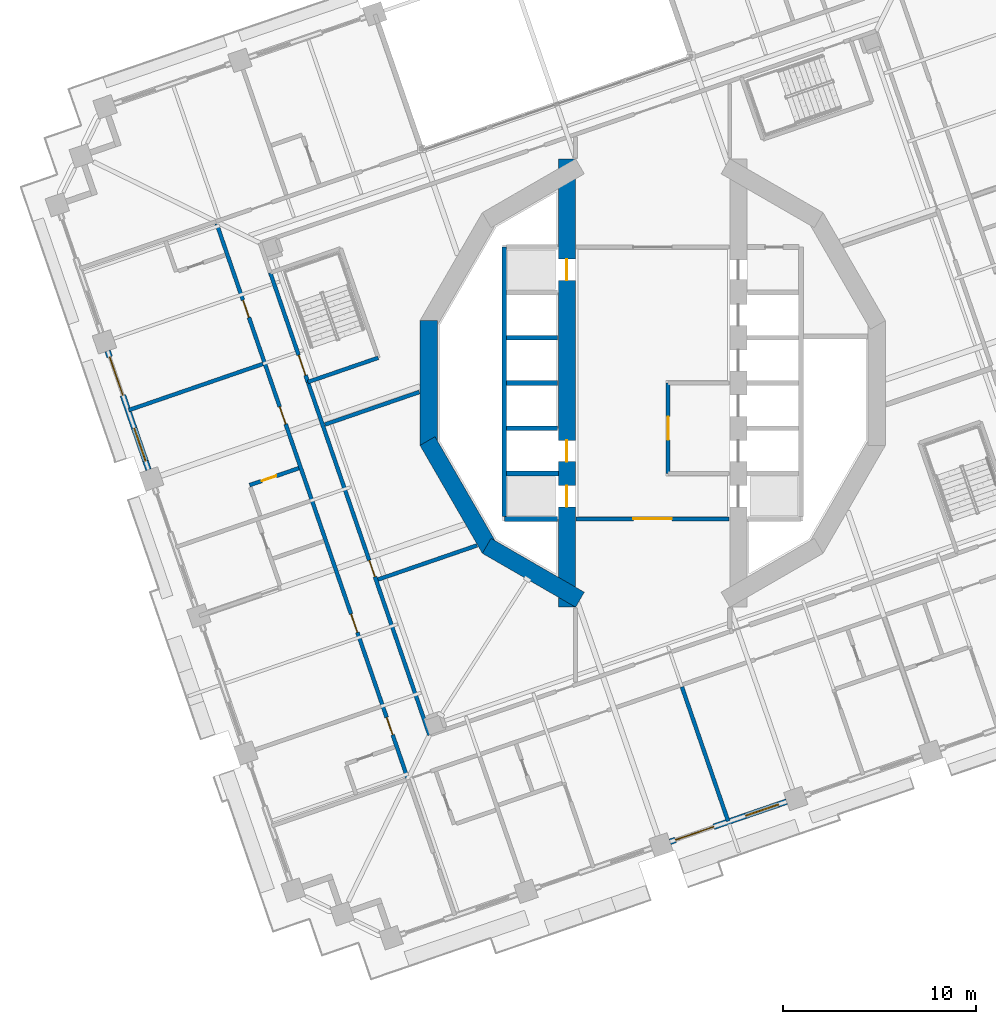
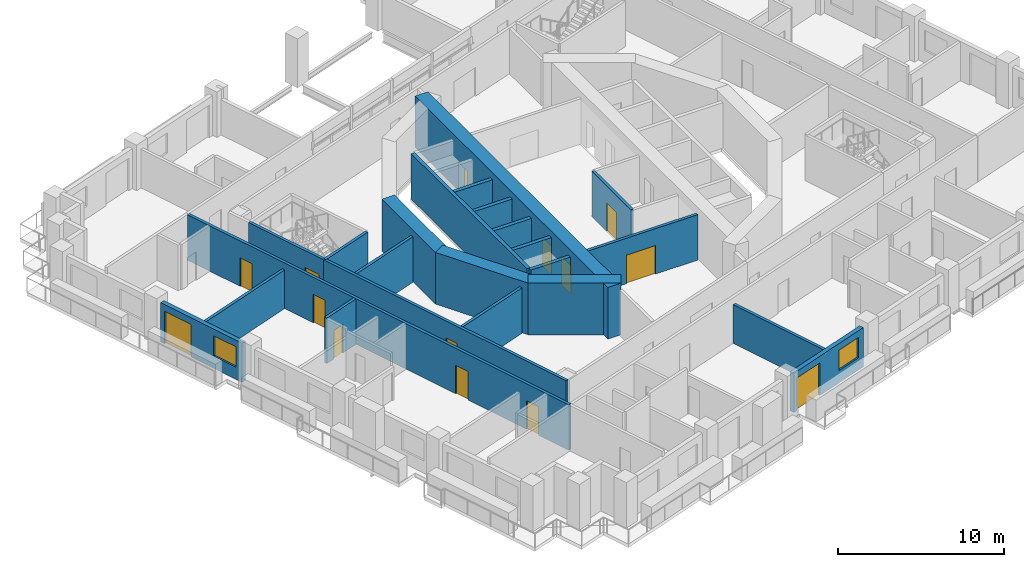
# One storey, part 8 of 22: 23 walls, 14 doors, 2 windows, 16 openings.
"""IFC4 building model written with IfcOpenShell, lengths in metres."""

from ifc_helpers import new_model, si_unit, direction, frame, frame_2d, origin, place, context, subcontext, project, spatial, rectangle, extrude, material, layer, layer_set, type_object, element, fill, save


model = new_model("IFC4")

# Units and contexts
model_context = context("Model", 3, precision=1e-05, world=origin(), true_north=direction((0.0, 1.0)))
body_context = subcontext(model_context, "Body", "Model", "MODEL_VIEW")
ifc_project = project(units=[si_unit("LENGTHUNIT", "METRE"), si_unit("AREAUNIT", "SQUARE_METRE"), si_unit("VOLUMEUNIT", "CUBIC_METRE"), si_unit("PLANEANGLEUNIT", "RADIAN"), si_unit("MASSUNIT", "GRAM", prefix="KILO")], contexts=[model_context])

# Site, building, storey
site_placement = place(None, origin())
site = spatial("IfcSite", under=ifc_project, at=site_placement, CompositionType="ELEMENT")
building_placement = place(site_placement, origin())
building = spatial("IfcBuilding", under=site, at=building_placement, Name="Cantera Rosa Tower", CompositionType="ELEMENT")
storey_placement = place(building_placement, frame((0.0, 0.0, 138.300048828125)))
storey = spatial("IfcBuildingStorey", under=building, at=storey_placement, Name="L29", CompositionType="ELEMENT", Elevation=138.300048828125)

# Wall, openings, doors
ifc_material_1 = material(Name="Gypsum board partition")
ifc_layer_1 = layer(ifc_material_1, 0.199951171875)
ifc_layer_set_1 = layer_set([ifc_layer_1], Name="CORRIDOR WALL 200 H3350")
wall_type_1 = type_object("IfcWallType", Name="CORRIDOR WALL 200 H3350", PredefinedType="PARTITIONING", material=ifc_layer_set_1)
wall_1_placement = place(storey_placement, frame((-22.623291015625, 8.264892578125, 0.0), z_axis=(0.0, 0.0, 1.0), x_axis=(0.325567058058, -0.945518953119, 0.0)))
wall_1 = element("IfcWall", 1, at=wall_1_placement, inside=storey, type_object=wall_type_1, Name="CORRIDOR WALL L29-003", PredefinedType="PARTITIONING", context=body_context, shape_type="SweptSolid", body=[
    extrude(rectangle(XDim=30.480224609375, YDim=0.199951171875, at=frame_2d((15.240234375, 0.0))), origin(), (0.0, 0.0, 1.0), 3.349853515625),
])
opening_1_placement = place(wall_1_placement, frame((4.195068359375, 0.0, 0.0)))
opening_1 = element("IfcOpeningElement", 2, at=opening_1_placement, cuts=wall_1, Name="Opening L29-030", PredefinedType="OPENING", context=body_context, shape_type="SweptSolid", body=[
    extrude(rectangle(XDim=0.949951171875, YDim=2.10009765625, at=frame_2d((0.47509765625, 1.050048828125))), frame((0.0, 0.10986328125, 0.0), z_axis=(0.0, -1.0, 0.0), x_axis=(1.0, 0.0, 0.0)), (0.0, 0.0, 1.0), 0.219970703125),
])
opening_2_placement = place(wall_1_placement, frame((10.044921875, 0.0, 0.0)))
opening_2 = element("IfcOpeningElement", 3, at=opening_2_placement, cuts=wall_1, Name="Opening L29-032", PredefinedType="OPENING", context=body_context, shape_type="SweptSolid", body=[
    extrude(rectangle(XDim=0.949951171875, YDim=2.10009765625, at=frame_2d((0.47509765625, 1.050048828125))), frame((0.0, 0.10986328125, 0.0), z_axis=(0.0, -1.0, 0.0), x_axis=(1.0, 0.0, 0.0)), (0.0, 0.0, 1.0), 0.219970703125),
])
opening_3_placement = place(wall_1_placement, frame((21.419921875, 0.0, 0.0)))
opening_3 = element("IfcOpeningElement", 4, at=opening_3_placement, cuts=wall_1, Name="Opening L29-034", PredefinedType="OPENING", context=body_context, shape_type="SweptSolid", body=[
    extrude(rectangle(XDim=1.0, YDim=2.10009765625, at=frame_2d((0.5, 1.050048828125))), frame((0.0, 0.10986328125, 0.0), z_axis=(0.0, -1.0, 0.0), x_axis=(1.0, 0.0, 0.0)), (0.0, 0.0, 1.0), 0.219970703125),
])
opening_4_placement = place(wall_1_placement, frame((27.094970703125, 0.0, 0.0)))
opening_4 = element("IfcOpeningElement", 5, at=opening_4_placement, cuts=wall_1, Name="Opening L29-037", PredefinedType="OPENING", context=body_context, shape_type="SweptSolid", body=[
    extrude(rectangle(XDim=0.949951171875, YDim=2.10009765625, at=frame_2d((0.47509765625, 1.050048828125))), frame((0.0, 0.10986328125, 0.0), z_axis=(0.0, -1.0, 0.0), x_axis=(1.0, 0.0, 0.0)), (0.0, 0.0, 1.0), 0.219970703125),
])
ifc_material_2 = material(Name="Timber door leaf", Category="wood")
door_type_1 = type_object("IfcDoorType", Name="ENTRANCE DOOR 1000x2100", OperationType="NOTDEFINED", PredefinedType="DOOR", material=ifc_material_2)
door_1_placement = place(opening_3_placement, origin())
door_1 = element("IfcDoor", 6, at=door_1_placement, inside=storey, type_object=door_type_1, Name="DOOR L29-034", OperationType="NOTDEFINED", OverallHeight=2.10009765625, OverallWidth=1.0, PredefinedType="DOOR", context=body_context, shape_type="SweptSolid", body=[
    extrude(rectangle(XDim=1.0, YDim=2.10009765625, at=frame_2d((0.5, 1.050048828125))), frame((0.0, 0.02490234375, 0.0), z_axis=(0.0, -1.0, 0.0), x_axis=(1.0, 0.0, 0.0)), (0.0, 0.0, 1.0), 0.050048828125),
])
fill(opening_3, door_1)
ifc_material_3 = material(Name="Timber door leaf", Category="wood")
door_type_2 = type_object("IfcDoorType", Name="ROOM DOOR 950x2100", OperationType="NOTDEFINED", PredefinedType="DOOR", material=ifc_material_3)
door_2_placement = place(opening_1_placement, origin())
door_2 = element("IfcDoor", 7, at=door_2_placement, inside=storey, type_object=door_type_2, Name="DOOR L29-030", OperationType="NOTDEFINED", OverallHeight=2.10009765625, OverallWidth=0.949951171875, PredefinedType="DOOR", context=body_context, shape_type="SweptSolid", body=[
    extrude(rectangle(XDim=0.949951171875, YDim=2.10009765625, at=frame_2d((0.47509765625, 1.050048828125))), frame((0.0, 0.02490234375, 0.0), z_axis=(0.0, -1.0, 0.0), x_axis=(1.0, 0.0, 0.0)), (0.0, 0.0, 1.0), 0.050048828125),
])
fill(opening_1, door_2)
door_3_placement = place(opening_2_placement, origin())
door_3 = element("IfcDoor", 8, at=door_3_placement, inside=storey, type_object=door_type_2, Name="DOOR L29-032", OperationType="NOTDEFINED", OverallHeight=2.10009765625, OverallWidth=0.949951171875, PredefinedType="DOOR", context=body_context, shape_type="SweptSolid", body=[
    extrude(rectangle(XDim=0.949951171875, YDim=2.10009765625, at=frame_2d((0.47509765625, 1.050048828125))), frame((0.0, 0.02490234375, 0.0), z_axis=(0.0, -1.0, 0.0), x_axis=(1.0, 0.0, 0.0)), (0.0, 0.0, 1.0), 0.050048828125),
])
fill(opening_2, door_3)
door_4_placement = place(opening_4_placement, origin())
door_4 = element("IfcDoor", 9, at=door_4_placement, inside=storey, type_object=door_type_2, Name="DOOR L29-037", OperationType="NOTDEFINED", OverallHeight=2.10009765625, OverallWidth=0.949951171875, PredefinedType="DOOR", context=body_context, shape_type="SweptSolid", body=[
    extrude(rectangle(XDim=0.949951171875, YDim=2.10009765625, at=frame_2d((0.47509765625, 1.050048828125))), frame((0.0, 0.02490234375, 0.0), z_axis=(0.0, -1.0, 0.0), x_axis=(1.0, 0.0, 0.0)), (0.0, 0.0, 1.0), 0.050048828125),
])
fill(opening_4, door_4)

# Wall, opening, door
wall_2_placement = place(storey_placement, frame((-17.8916015625, 0.05126953125, 0.0), z_axis=(0.0, 0.0, 1.0), x_axis=(0.325580537834, -0.94551431157, 0.0)))
wall_2 = element("IfcWall", 10, at=wall_2_placement, inside=storey, type_object=wall_type_1, Name="CORRIDOR WALL L29-019", PredefinedType="PARTITIONING", context=body_context, shape_type="SweptSolid", body=[
    extrude(rectangle(XDim=19.37353515625, YDim=0.199951171875, at=frame_2d((9.686767578125, 0.0))), origin(), (0.0, 0.0, 1.0), 3.349853515625),
])
opening_5_placement = place(wall_2_placement, frame((9.785888671875, 0.0, 0.0)))
opening_5 = element("IfcOpeningElement", 11, at=opening_5_placement, cuts=wall_2, Name="Opening L29-006", PredefinedType="OPENING", context=body_context, shape_type="SweptSolid", body=[
    extrude(rectangle(XDim=0.89990234375, YDim=2.10009765625, at=frame_2d((0.449951171875, 1.050048828125))), frame((0.0, 0.10986328125, 0.0), z_axis=(0.0, -1.0, 0.0), x_axis=(1.0, 0.0, 0.0)), (0.0, 0.0, 1.0), 0.219970703125),
])
ifc_material_4 = material(Name="Timber door leaf", Category="wood")
door_type_3 = type_object("IfcDoorType", Name="SERVICE DOOR 900x2100", OperationType="NOTDEFINED", PredefinedType="DOOR", material=ifc_material_4)
door_5_placement = place(opening_5_placement, origin())
door_5 = element("IfcDoor", 12, at=door_5_placement, inside=storey, type_object=door_type_3, Name="DOOR L29-006", OperationType="NOTDEFINED", OverallHeight=2.10009765625, OverallWidth=0.89990234375, PredefinedType="DOOR", context=body_context, shape_type="SweptSolid", body=[
    extrude(rectangle(XDim=0.89990234375, YDim=2.10009765625, at=frame_2d((0.449951171875, 1.050048828125))), frame((0.0, 0.02490234375, 0.0), z_axis=(0.0, -1.0, 0.0), x_axis=(1.0, 0.0, 0.0)), (0.0, 0.0, 1.0), 0.050048828125),
])
fill(opening_5, door_5)

wall_3_placement = place(storey_placement, frame((3.969970703125, -7.050048828125, 0.0), z_axis=(0.0, 0.0, 1.0), x_axis=(-1.0, 0.0, 0.0)))
wall_3 = element("IfcWall", 13, at=wall_3_placement, inside=storey, type_object=wall_type_1, Name="CORRIDOR WALL L29-056", PredefinedType="PARTITIONING", context=body_context, shape_type="SweptSolid", body=[
    extrude(rectangle(XDim=7.93994140625, YDim=0.199951171875, at=frame_2d((3.969970703125, 0.0))), origin(), (0.0, 0.0, 1.0), 3.349853515625),
])
opening_6_placement = place(wall_3_placement, frame((2.969970703125, 0.0, 0.0)))
opening_6 = element("IfcOpeningElement", 14, at=opening_6_placement, cuts=wall_3, Name="Opening L29-013", PredefinedType="OPENING", context=body_context, shape_type="SweptSolid", body=[
    extrude(rectangle(XDim=2.0, YDim=2.10009765625, at=frame_2d((1.0, 1.050048828125))), frame((0.0, 0.10986328125, 0.0), z_axis=(0.0, -1.0, 0.0), x_axis=(1.0, 0.0, 0.0)), (0.0, 0.0, 1.0), 0.219970703125),
])
ifc_material_5 = material(Name="Steel S355J2 (EN 10025-2)", Category="steel")
door_type_4 = type_object("IfcDoorType", Name="LOBBY SCREEN DOOR 2000x2100", OperationType="NOTDEFINED", PredefinedType="DOOR", material=ifc_material_5)
door_6_placement = place(opening_6_placement, origin())
door_6 = element("IfcDoor", 15, at=door_6_placement, inside=storey, type_object=door_type_4, Name="DOOR L29-013", OperationType="NOTDEFINED", OverallHeight=2.10009765625, OverallWidth=2.0, PredefinedType="DOOR", context=body_context, shape_type="SweptSolid", body=[
    extrude(rectangle(XDim=2.0, YDim=2.10009765625, at=frame_2d((1.0, 1.050048828125))), frame((0.0, 0.02490234375, 0.0), z_axis=(0.0, -1.0, 0.0), x_axis=(1.0, 0.0, 0.0)), (0.0, 0.0, 1.0), 0.050048828125),
])
fill(opening_6, door_6)

# Wall, openings, window, door
ifc_material_6 = material(Name="Hollow clay masonry with cantera stone cladding", Category="masonry")
ifc_layer_2 = layer(ifc_material_6, 0.300048828125)
ifc_layer_set_2 = layer_set([ifc_layer_2], Name="EW-LOGGIA 300 H2890")
wall_type_2 = type_object("IfcWallType", Name="EW-LOGGIA 300 H2890", PredefinedType="SOLIDWALL", material=ifc_layer_set_2)
wall_4_placement = place(storey_placement, frame((-28.2822265625, 1.662841796875, 0.0), z_axis=(0.0, 0.0, 1.0), x_axis=(0.325580990241, -0.945514155787, 0.0)))
wall_4 = element("IfcWall", 16, at=wall_4_placement, inside=storey, type_object=wall_type_2, Name="EN-L29-W17", PredefinedType="SOLIDWALL", context=body_context, shape_type="SweptSolid", body=[
    extrude(rectangle(XDim=6.52001953125, YDim=0.300048828125, at=frame_2d((3.260009765625, 0.0))), origin(), (0.0, 0.0, 1.0), 2.889892578125),
])
opening_7_placement = place(wall_4_placement, frame((0.330078125, 0.0, 0.0)))
opening_7 = element("IfcOpeningElement", 17, at=opening_7_placement, cuts=wall_4, Name="Opening L29-TD21", PredefinedType="OPENING", context=body_context, shape_type="SweptSolid", body=[
    extrude(rectangle(XDim=2.10009765625, YDim=2.39990234375, at=frame_2d((1.050048828125, 1.199951171875))), frame((0.0, 0.159912109375, 0.0), z_axis=(0.0, -1.0, 0.0), x_axis=(1.0, 0.0, 0.0)), (0.0, 0.0, 1.0), 0.320068359375),
])
opening_8_placement = place(wall_4_placement, frame((4.239990234375, 0.0, 0.89990234375)))
opening_8 = element("IfcOpeningElement", 18, at=opening_8_placement, cuts=wall_4, Name="Opening L29-W22", PredefinedType="OPENING", context=body_context, shape_type="SweptSolid", body=[
    extrude(rectangle(XDim=1.800048828125, YDim=1.5, at=frame_2d((0.89990234375, 0.75))), frame((0.0, 0.159912109375, 0.0), z_axis=(0.0, -1.0, 0.0), x_axis=(1.0, 0.0, 0.0)), (0.0, 0.0, 1.0), 0.320068359375),
])
ifc_material_7 = material(Name="Aluminium frame with clear glass", Category="aluminium")
window_type = type_object("IfcWindowType", Name="Hotel room window 1800x1500", PartitioningType="DOUBLE_PANEL_VERTICAL", PredefinedType="WINDOW", material=ifc_material_7)
window_1_placement = place(opening_8_placement, origin())
window_1 = element("IfcWindow", 19, at=window_1_placement, inside=storey, type_object=window_type, Name="WINDOW L29-W22", OverallHeight=1.5, OverallWidth=1.800048828125, PartitioningType="SINGLE_PANEL", PredefinedType="WINDOW", context=body_context, shape_type="SweptSolid", body=[
    extrude(rectangle(XDim=1.800048828125, YDim=1.5, at=frame_2d((0.89990234375, 0.75))), frame((0.0, 0.030029296875, 0.0), z_axis=(0.0, -1.0, 0.0), x_axis=(1.0, 0.0, 0.0)), (0.0, 0.0, 1.0), 0.06005859375),
])
fill(opening_8, window_1)
ifc_material_8 = material(Name="Aluminium frame with clear glass", Category="aluminium")
door_type_5 = type_object("IfcDoorType", Name="TD-H 2100x2400", OperationType="NOTDEFINED", PredefinedType="DOOR", material=ifc_material_8)
door_7_placement = place(opening_7_placement, origin())
door_7 = element("IfcDoor", 20, at=door_7_placement, inside=storey, type_object=door_type_5, Name="LOGGIA DOOR L29-TD21", OperationType="SLIDING_TO_LEFT", OverallHeight=2.39990234375, OverallWidth=2.10009765625, PredefinedType="DOOR", context=body_context, shape_type="SweptSolid", body=[
    extrude(rectangle(XDim=2.10009765625, YDim=2.39990234375, at=frame_2d((1.050048828125, 1.199951171875))), frame((0.0, 0.02490234375, 0.0), z_axis=(0.0, -1.0, 0.0), x_axis=(1.0, 0.0, 0.0)), (0.0, 0.0, 1.0), 0.050048828125),
])
fill(opening_7, door_7)

wall_5_placement = place(storey_placement, frame((0.89892578125, -23.80419921875, 0.0), z_axis=(0.0, 0.0, 1.0), x_axis=(0.945524496524, 0.325550958337, 0.0)))
wall_5 = element("IfcWall", 21, at=wall_5_placement, inside=storey, type_object=wall_type_2, Name="EN-L29-W25", PredefinedType="SOLIDWALL", context=body_context, shape_type="SweptSolid", body=[
    extrude(rectangle(XDim=6.39990234375, YDim=0.300048828125, at=frame_2d((3.199951171875, 0.0))), origin(), (0.0, 0.0, 1.0), 2.889892578125),
])
opening_9_placement = place(wall_5_placement, frame((0.300048828125, 0.0, 0.0)))
opening_9 = element("IfcOpeningElement", 22, at=opening_9_placement, cuts=wall_5, Name="Opening L29-TD33", PredefinedType="OPENING", context=body_context, shape_type="SweptSolid", body=[
    extrude(rectangle(XDim=2.10009765625, YDim=2.39990234375, at=frame_2d((1.050048828125, 1.199951171875))), frame((0.0, 0.159912109375, 0.0), z_axis=(0.0, -1.0, 0.0), x_axis=(1.0, 0.0, 0.0)), (0.0, 0.0, 1.0), 0.320068359375),
])
opening_10_placement = place(wall_5_placement, frame((4.14990234375, 0.0, 0.89990234375)))
opening_10 = element("IfcOpeningElement", 23, at=opening_10_placement, cuts=wall_5, Name="Opening L29-W34", PredefinedType="OPENING", context=body_context, shape_type="SweptSolid", body=[
    extrude(rectangle(XDim=1.800048828125, YDim=1.5, at=frame_2d((0.89990234375, 0.75))), frame((0.0, 0.159912109375, 0.0), z_axis=(0.0, -1.0, 0.0), x_axis=(1.0, 0.0, 0.0)), (0.0, 0.0, 1.0), 0.320068359375),
])
window_2_placement = place(opening_10_placement, origin())
window_2 = element("IfcWindow", 24, at=window_2_placement, inside=storey, type_object=window_type, Name="WINDOW L29-W34", OverallHeight=1.5, OverallWidth=1.800048828125, PartitioningType="SINGLE_PANEL", PredefinedType="WINDOW", context=body_context, shape_type="SweptSolid", body=[
    extrude(rectangle(XDim=1.800048828125, YDim=1.5, at=frame_2d((0.89990234375, 0.75))), frame((0.0, 0.030029296875, 0.0), z_axis=(0.0, -1.0, 0.0), x_axis=(1.0, 0.0, 0.0)), (0.0, 0.0, 1.0), 0.06005859375),
])
fill(opening_10, window_2)
door_8_placement = place(opening_9_placement, origin())
door_8 = element("IfcDoor", 25, at=door_8_placement, inside=storey, type_object=door_type_5, Name="LOGGIA DOOR L29-TD33", OperationType="SLIDING_TO_LEFT", OverallHeight=2.39990234375, OverallWidth=2.10009765625, PredefinedType="DOOR", context=body_context, shape_type="SweptSolid", body=[
    extrude(rectangle(XDim=2.10009765625, YDim=2.39990234375, at=frame_2d((1.050048828125, 1.199951171875))), frame((0.0, 0.02490234375, 0.0), z_axis=(0.0, -1.0, 0.0), x_axis=(1.0, 0.0, 0.0)), (0.0, 0.0, 1.0), 0.050048828125),
])
fill(opening_9, door_8)

# Wall, opening, door
ifc_material_9 = material(Name="Gypsum board partition")
ifc_layer_3 = layer(ifc_material_9, 0.199951171875)
ifc_layer_set_3 = layer_set([ifc_layer_3], Name="PARTITION 200 H3350")
wall_type_3 = type_object("IfcWallType", Name="PARTITION 200 H3350", PredefinedType="PARTITIONING", material=ifc_layer_set_3)
wall_6_placement = place(storey_placement, frame((-20.914794921875, -5.2978515625, 0.0), z_axis=(0.0, 0.0, 1.0), x_axis=(0.945508383903, 0.325597751787, 0.0)))
wall_6 = element("IfcWall", 26, at=wall_6_placement, inside=storey, type_object=wall_type_3, Name="PARTITION L29-005", PredefinedType="PARTITIONING", context=body_context, shape_type="SweptSolid", body=[
    extrude(rectangle(XDim=2.7001953125, YDim=0.199951171875, at=frame_2d((1.35009765625, 0.0))), origin(), (0.0, 0.0, 1.0), 3.349853515625),
])
opening_11_placement = place(wall_6_placement, frame((0.6640625, 0.0, 0.0)))
opening_11 = element("IfcOpeningElement", 27, at=opening_11_placement, cuts=wall_6, Name="Opening L29-033", PredefinedType="OPENING", context=body_context, shape_type="SweptSolid", body=[
    extrude(rectangle(XDim=0.800048828125, YDim=2.10009765625, at=frame_2d((0.39990234375, 1.050048828125))), frame((0.0, 0.10986328125, 0.0), z_axis=(0.0, -1.0, 0.0), x_axis=(1.0, 0.0, 0.0)), (0.0, 0.0, 1.0), 0.219970703125),
])
ifc_material_10 = material(Name="Timber door leaf", Category="wood")
door_type_6 = type_object("IfcDoorType", Name="BATHROOM DOOR 800x2100", OperationType="NOTDEFINED", PredefinedType="DOOR", material=ifc_material_10)
door_9_placement = place(opening_11_placement, origin())
door_9 = element("IfcDoor", 28, at=door_9_placement, inside=storey, type_object=door_type_6, Name="DOOR L29-033", OperationType="NOTDEFINED", OverallHeight=2.10009765625, OverallWidth=0.800048828125, PredefinedType="DOOR", context=body_context, shape_type="SweptSolid", body=[
    extrude(rectangle(XDim=0.800048828125, YDim=2.10009765625, at=frame_2d((0.39990234375, 1.050048828125))), frame((0.0, 0.02490234375, 0.0), z_axis=(0.0, -1.0, 0.0), x_axis=(1.0, 0.0, 0.0)), (0.0, 0.0, 1.0), 0.050048828125),
])
fill(opening_11, door_9)

# Walls
wall_7_placement = place(storey_placement, frame((-12.10400390625, -0.466064453125, 0.0), z_axis=(0.0, 0.0, 1.0), x_axis=(-0.945514533015, -0.325579894737, 0.0)))
element("IfcWall", 29, at=wall_7_placement, inside=storey, type_object=wall_type_3, Name="PARTITION L29-030", PredefinedType="PARTITIONING", context=body_context, shape_type="SweptSolid", body=[
    extrude(rectangle(XDim=5.183837890625, YDim=0.199951171875, at=frame_2d((2.591796875, 0.0))), origin(), (0.0, 0.0, 1.0), 3.349853515625),
])
wall_8_placement = place(storey_placement, frame((-9.112060546875, -8.425537109375, 0.0), z_axis=(0.0, 0.0, 1.0), x_axis=(-0.945518793757, -0.32556752088, 0.0)))
element("IfcWall", 30, at=wall_8_placement, inside=storey, type_object=wall_type_3, Name="PARTITION L29-035", PredefinedType="PARTITIONING", context=body_context, shape_type="SweptSolid", body=[
    extrude(rectangle(XDim=5.441162109375, YDim=0.199951171875, at=frame_2d((2.720703125, 0.0))), origin(), (0.0, 0.0, 1.0), 3.349853515625),
])
ifc_material_11 = material(Name="Gypsum board partition")
ifc_layer_4 = layer(ifc_material_11, 0.199951171875)
ifc_layer_set_4 = layer_set([ifc_layer_4], Name="PARTY WALL 200 H2850")
wall_type_4 = type_object("IfcWallType", Name="PARTY WALL 200 H2850", PredefinedType="PARTITIONING", material=ifc_layer_set_4)
wall_9_placement = place(storey_placement, frame((-20.22412109375, 0.989501953125, 0.0), z_axis=(0.0, 0.0, 1.0), x_axis=(-0.945516523202, -0.32557411499, 0.0)))
element("IfcWall", 31, at=wall_9_placement, inside=storey, type_object=wall_type_4, Name="PARTY WALL L29-009", PredefinedType="PARTITIONING", context=body_context, shape_type="SweptSolid", body=[
    extrude(rectangle(XDim=7.369873046875, YDim=0.199951171875, at=frame_2d((3.68505859375, 0.0))), origin(), (0.0, 0.0, 1.0), 2.849853515625),
])
wall_10_placement = place(storey_placement, frame((1.515380859375, -15.765625, 0.0), z_axis=(0.0, 0.0, 1.0), x_axis=(0.325563917555, -0.945520034471, 0.0)))
element("IfcWall", 32, at=wall_10_placement, inside=storey, type_object=wall_type_4, Name="PARTY WALL L29-054", PredefinedType="PARTITIONING", context=body_context, shape_type="SweptSolid", body=[
    extrude(rectangle(XDim=7.3701171875, YDim=0.199951171875, at=frame_2d((3.68505859375, 0.0))), origin(), (0.0, 0.0, 1.0), 2.849853515625),
])
ifc_material_12 = material(Name="Concrete C70/85", Category="concrete")
ifc_layer_5 = layer(ifc_material_12, 0.89990234375)
ifc_layer_set_5 = layer_set([ifc_layer_5], Name="RC CORE WALL 900 C70/85")
wall_type_5 = type_object("IfcWallType", Name="RC CORE WALL 900 C70/85", PredefinedType="SHEAR", material=ifc_layer_set_5)
wall_11_placement = place(storey_placement, frame((-3.77490234375, -11.242919921875, 0.0), z_axis=(0.0, 0.0, 1.0), x_axis=(-0.866026961591, 0.49999730179, 0.0)))
element("IfcWall", 33, at=wall_11_placement, inside=storey, type_object=wall_type_5, Name="CW-W1 L29", PredefinedType="SHEAR", context=body_context, shape_type="SweptSolid", body=[
    extrude(rectangle(XDim=5.58740234375, YDim=0.89990234375, at=frame_2d((2.793701171875, 0.0))), origin(), (0.0, 0.0, 1.0), 3.800048828125),
])
wall_12_placement = place(storey_placement, frame((-8.44921875, -8.61376953125, 0.0), z_axis=(0.0, 0.0, 1.0), x_axis=(-0.499990282633, 0.866031014036, 0.0)))
element("IfcWall", 34, at=wall_12_placement, inside=storey, type_object=wall_type_5, Name="CW-W2 L29", PredefinedType="SHEAR", context=body_context, shape_type="SweptSolid", body=[
    extrude(rectangle(XDim=6.470458984375, YDim=0.89990234375, at=frame_2d((3.2353515625, 0.0))), origin(), (0.0, 0.0, 1.0), 3.800048828125),
])
wall_13_placement = place(storey_placement, frame((-11.6240234375, -3.2353515625, 0.0), z_axis=(0.0, 0.0, 1.0), x_axis=(0.0, 1.0, 0.0)))
element("IfcWall", 35, at=wall_13_placement, inside=storey, type_object=wall_type_5, Name="CW-W3 L29", PredefinedType="SHEAR", context=body_context, shape_type="SweptSolid", body=[
    extrude(rectangle(XDim=6.470703125, YDim=0.89990234375, at=frame_2d((3.2353515625, 0.0))), origin(), (0.0, 0.0, 1.0), 3.800048828125),
])

# Wall, openings, doors
wall_14_placement = place(storey_placement, frame((-4.449951171875, 11.632568359375, 0.0), z_axis=(0.0, 0.0, 1.0), x_axis=(0.0, -1.0, 0.0)))
wall_14 = element("IfcWall", 36, at=wall_14_placement, inside=storey, type_object=wall_type_5, Name="CW-W6 L29", PredefinedType="SHEAR", context=body_context, shape_type="SweptSolid", body=[
    extrude(rectangle(XDim=23.26513671875, YDim=0.89990234375, at=frame_2d((11.632568359375, 0.0))), origin(), (0.0, 0.0, 1.0), 3.800048828125),
])
opening_12_placement = place(wall_14_placement, frame((14.607421875, 0.0, 0.0)))
opening_12 = element("IfcOpeningElement", 37, at=opening_12_placement, cuts=wall_14, Name="Opening LD-P3-L29", PredefinedType="OPENING", context=body_context, shape_type="SweptSolid", body=[
    extrude(rectangle(XDim=1.10009765625, YDim=2.10009765625, at=frame_2d((0.550048828125, 1.050048828125))), frame((0.0, 0.4599609375, 0.0), z_axis=(0.0, -1.0, 0.0), x_axis=(1.0, 0.0, 0.0)), (0.0, 0.0, 1.0), 0.919921875),
])
opening_13_placement = place(wall_14_placement, frame((16.95751953125, 0.0, 0.0)))
opening_13 = element("IfcOpeningElement", 38, at=opening_13_placement, cuts=wall_14, Name="Opening LD-P4-L29", PredefinedType="OPENING", context=body_context, shape_type="SweptSolid", body=[
    extrude(rectangle(XDim=1.10009765625, YDim=2.10009765625, at=frame_2d((0.550048828125, 1.050048828125))), frame((0.0, 0.4599609375, 0.0), z_axis=(0.0, -1.0, 0.0), x_axis=(1.0, 0.0, 0.0)), (0.0, 0.0, 1.0), 0.919921875),
])
opening_14_placement = place(wall_14_placement, frame((5.20751953125, 0.0, 0.0)))
opening_14 = element("IfcOpeningElement", 39, at=opening_14_placement, cuts=wall_14, Name="Opening LD-P5-L29", PredefinedType="OPENING", context=body_context, shape_type="SweptSolid", body=[
    extrude(rectangle(XDim=1.10009765625, YDim=2.10009765625, at=frame_2d((0.550048828125, 1.050048828125))), frame((0.0, 0.4599609375, 0.0), z_axis=(0.0, -1.0, 0.0), x_axis=(1.0, 0.0, 0.0)), (0.0, 0.0, 1.0), 0.919921875),
])
ifc_material_13 = material(Name="Steel S355J2 (EN 10025-2)", Category="steel")
door_type_7 = type_object("IfcDoorType", Name="LANDING DOOR 1100x2100", OperationType="NOTDEFINED", PredefinedType="DOOR", material=ifc_material_13)
door_10_placement = place(opening_12_placement, origin())
door_10 = element("IfcDoor", 40, at=door_10_placement, inside=storey, type_object=door_type_7, Name="LANDING DOOR P3 L29", OperationType="SLIDING_TO_LEFT", OverallHeight=2.10009765625, OverallWidth=1.10009765625, PredefinedType="DOOR", context=body_context, shape_type="SweptSolid", body=[
    extrude(rectangle(XDim=1.10009765625, YDim=2.10009765625, at=frame_2d((0.550048828125, 1.050048828125))), frame((0.0, 0.02490234375, 0.0), z_axis=(0.0, -1.0, 0.0), x_axis=(1.0, 0.0, 0.0)), (0.0, 0.0, 1.0), 0.050048828125),
])
fill(opening_12, door_10)
door_11_placement = place(opening_13_placement, origin())
door_11 = element("IfcDoor", 41, at=door_11_placement, inside=storey, type_object=door_type_7, Name="LANDING DOOR P4 L29", OperationType="SLIDING_TO_LEFT", OverallHeight=2.10009765625, OverallWidth=1.10009765625, PredefinedType="DOOR", context=body_context, shape_type="SweptSolid", body=[
    extrude(rectangle(XDim=1.10009765625, YDim=2.10009765625, at=frame_2d((0.550048828125, 1.050048828125))), frame((0.0, 0.02490234375, 0.0), z_axis=(0.0, -1.0, 0.0), x_axis=(1.0, 0.0, 0.0)), (0.0, 0.0, 1.0), 0.050048828125),
])
fill(opening_13, door_11)
door_12_placement = place(opening_14_placement, origin())
door_12 = element("IfcDoor", 42, at=door_12_placement, inside=storey, type_object=door_type_7, Name="LANDING DOOR P5 L29", OperationType="SLIDING_TO_LEFT", OverallHeight=2.10009765625, OverallWidth=1.10009765625, PredefinedType="DOOR", context=body_context, shape_type="SweptSolid", body=[
    extrude(rectangle(XDim=1.10009765625, YDim=2.10009765625, at=frame_2d((0.550048828125, 1.050048828125))), frame((0.0, 0.02490234375, 0.0), z_axis=(0.0, -1.0, 0.0), x_axis=(1.0, 0.0, 0.0)), (0.0, 0.0, 1.0), 0.050048828125),
])
fill(opening_14, door_12)

# Walls
ifc_material_14 = material(Name="Masonry blockwork", Category="masonry")
ifc_layer_6 = layer(ifc_material_14, 0.25)
ifc_layer_set_6 = layer_set([ifc_layer_6], Name="SHAFT WALL 250 H3350")
wall_type_6 = type_object("IfcWallType", Name="SHAFT WALL 250 H3350", PredefinedType="SOLIDWALL", material=ifc_layer_set_6)
wall_15_placement = place(storey_placement, frame((-7.699951171875, -7.050048828125, 0.0), z_axis=(0.0, 0.0, 1.0), x_axis=(1.0, 0.0, 0.0)))
element("IfcWall", 43, at=wall_15_placement, inside=storey, type_object=wall_type_6, Name="SHAFT WALL L29-037", PredefinedType="SOLIDWALL", context=body_context, shape_type="SweptSolid", body=[
    extrude(rectangle(XDim=2.77001953125, YDim=0.25, at=frame_2d((1.385009765625, 0.0))), origin(), (0.0, 0.0, 1.0), 3.349853515625),
])
wall_16_placement = place(storey_placement, frame((-7.574951171875, -4.699951171875, 0.0), z_axis=(0.0, 0.0, 1.0), x_axis=(1.0, 0.0, 0.0)))
element("IfcWall", 44, at=wall_16_placement, inside=storey, type_object=wall_type_6, Name="SHAFT WALL L29-038", PredefinedType="SOLIDWALL", context=body_context, shape_type="SweptSolid", body=[
    extrude(rectangle(XDim=2.675048828125, YDim=0.25, at=frame_2d((1.33740234375, 0.0))), origin(), (0.0, 0.0, 1.0), 3.349853515625),
])
for number, where, z_axis, x_axis, name in (
    (45, (-7.574951171875, -2.35009765625, 0.0), (0.0, 0.0, 1.0), (1.0, 0.0, 0.0), "SHAFT WALL L29-039"),
    (46, (-7.574951171875, 0.0, 0.0), (0.0, 0.0, 1.0), (1.0, 0.0, 0.0), "SHAFT WALL L29-040"),
    (47, (-7.574951171875, 2.35009765625, 0.0), (0.0, 0.0, 1.0), (1.0, 0.0, 0.0), "SHAFT WALL L29-041"),
):
    element("IfcWall", number, at=place(storey_placement, frame(where, z_axis=z_axis, x_axis=x_axis)), inside=storey, type_object=wall_type_6, Name=name, PredefinedType="SOLIDWALL", context=body_context, shape_type="SweptSolid", body=[
        extrude(rectangle(XDim=2.64501953125, YDim=0.25, at=frame_2d((1.322509765625, 0.0))), origin(), (0.0, 0.0, 1.0), 3.349853515625),
    ])
wall_17_placement = place(storey_placement, frame((-7.699951171875, 7.050048828125, 0.0), z_axis=(0.0, 0.0, 1.0), x_axis=(0.0, -1.0, 0.0)))
element("IfcWall", 48, at=wall_17_placement, inside=storey, type_object=wall_type_6, Name="SHAFT WALL L29-043", PredefinedType="SOLIDWALL", context=body_context, shape_type="SweptSolid", body=[
    extrude(rectangle(XDim=13.97998046875, YDim=0.25, at=frame_2d((6.989990234375, 0.0))), origin(), (0.0, 0.0, 1.0), 3.349853515625),
])

# Wall, opening, door
ifc_material_15 = material(Name="Concrete C50/60", Category="concrete")
ifc_layer_7 = layer(ifc_material_15, 0.199951171875)
ifc_layer_set_7 = layer_set([ifc_layer_7], Name="STAIR WALL 200 H3350")
wall_type_7 = type_object("IfcWallType", Name="STAIR WALL 200 H3350", PredefinedType="SOLIDWALL", material=ifc_layer_set_7)
wall_18_placement = place(storey_placement, frame((-19.844970703125, 5.724365234375, 0.0), z_axis=(0.0, 0.0, 1.0), x_axis=(0.325563034341, -0.945520338581, 0.0)))
wall_18 = element("IfcWall", 49, at=wall_18_placement, inside=storey, type_object=wall_type_7, Name="STAIR WALL L29-012", PredefinedType="SOLIDWALL", context=body_context, shape_type="SweptSolid", body=[
    extrude(rectangle(XDim=6.0, YDim=0.199951171875, at=frame_2d((3.0, 0.0))), origin(), (0.0, 0.0, 1.0), 3.349853515625),
])
opening_15_placement = place(wall_18_placement, frame((4.52490234375, 0.0, 0.0)))
opening_15 = element("IfcOpeningElement", 50, at=opening_15_placement, cuts=wall_18, Name="Opening L29-002", PredefinedType="OPENING", context=body_context, shape_type="SweptSolid", body=[
    extrude(rectangle(XDim=1.10009765625, YDim=2.10009765625, at=frame_2d((0.550048828125, 1.050048828125))), frame((0.0, 0.10986328125, 0.0), z_axis=(0.0, -1.0, 0.0), x_axis=(1.0, 0.0, 0.0)), (0.0, 0.0, 1.0), 0.219970703125),
])
ifc_material_16 = material(Name="Steel S355J2 (EN 10025-2)", Category="steel")
door_type_8 = type_object("IfcDoorType", Name="STAIR DOOR 1100x2100", OperationType="NOTDEFINED", PredefinedType="DOOR", material=ifc_material_16)
door_13_placement = place(opening_15_placement, origin())
door_13 = element("IfcDoor", 51, at=door_13_placement, inside=storey, type_object=door_type_8, Name="DOOR L29-002", OperationType="NOTDEFINED", OverallHeight=2.10009765625, OverallWidth=1.10009765625, PredefinedType="DOOR", context=body_context, shape_type="SweptSolid", body=[
    extrude(rectangle(XDim=1.10009765625, YDim=2.10009765625, at=frame_2d((0.550048828125, 1.050048828125))), frame((0.0, 0.02490234375, 0.0), z_axis=(0.0, -1.0, 0.0), x_axis=(1.0, 0.0, 0.0)), (0.0, 0.0, 1.0), 0.050048828125),
])
fill(opening_15, door_13)

# Wall
wall_19_placement = place(storey_placement, frame((-17.8916015625, 0.05126953125, 0.0), z_axis=(0.0, 0.0, 1.0), x_axis=(0.945514621213, 0.325579638603, 0.0)))
element("IfcWall", 52, at=wall_19_placement, inside=storey, type_object=wall_type_7, Name="STAIR WALL L29-018", PredefinedType="SOLIDWALL", context=body_context, shape_type="SweptSolid", body=[
    extrude(rectangle(XDim=3.862548828125, YDim=0.199951171875, at=frame_2d((1.93115234375, 0.0))), origin(), (0.0, 0.0, 1.0), 3.349853515625),
])

# Wall, opening, door
wall_20_placement = place(storey_placement, frame((0.800048828125, -4.699951171875, 0.0), z_axis=(0.0, 0.0, 1.0), x_axis=(0.0, 1.0, 0.0)))
wall_20 = element("IfcWall", 53, at=wall_20_placement, inside=storey, type_object=wall_type_7, Name="STAIR WALL L29-052", PredefinedType="SOLIDWALL", context=body_context, shape_type="SweptSolid", body=[
    extrude(rectangle(XDim=4.699951171875, YDim=0.199951171875, at=frame_2d((2.35009765625, 0.0))), origin(), (0.0, 0.0, 1.0), 3.349853515625),
])
opening_16_placement = place(wall_20_placement, frame((1.75, 0.0, 0.0)))
opening_16 = element("IfcOpeningElement", 54, at=opening_16_placement, cuts=wall_20, Name="Opening L29-014", PredefinedType="OPENING", context=body_context, shape_type="SweptSolid", body=[
    extrude(rectangle(XDim=1.199951171875, YDim=2.10009765625, at=frame_2d((0.60009765625, 1.050048828125))), frame((0.0, 0.10986328125, 0.0), z_axis=(0.0, -1.0, 0.0), x_axis=(1.0, 0.0, 0.0)), (0.0, 0.0, 1.0), 0.219970703125),
])
ifc_material_17 = material(Name="Steel S355J2 (EN 10025-2)", Category="steel")
door_type_9 = type_object("IfcDoorType", Name="FIRE DOOR 1200x2100", OperationType="NOTDEFINED", PredefinedType="DOOR", material=ifc_material_17)
door_14_placement = place(opening_16_placement, origin())
door_14 = element("IfcDoor", 55, at=door_14_placement, inside=storey, type_object=door_type_9, Name="DOOR L29-014", OperationType="NOTDEFINED", OverallHeight=2.10009765625, OverallWidth=1.199951171875, PredefinedType="DOOR", context=body_context, shape_type="SweptSolid", body=[
    extrude(rectangle(XDim=1.199951171875, YDim=2.10009765625, at=frame_2d((0.60009765625, 1.050048828125))), frame((0.0, 0.02490234375, 0.0), z_axis=(0.0, -1.0, 0.0), x_axis=(1.0, 0.0, 0.0)), (0.0, 0.0, 1.0), 0.050048828125),
])
fill(opening_16, door_14)

save(model, "model.ifc")
